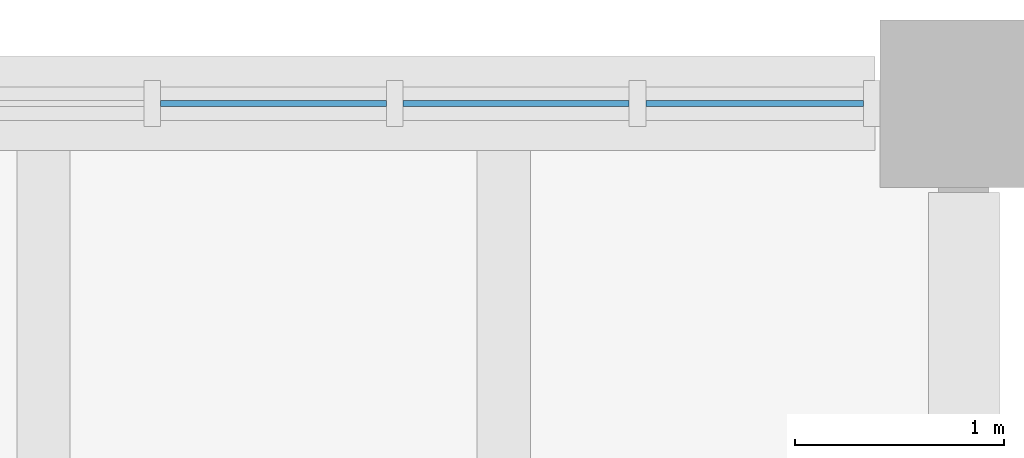
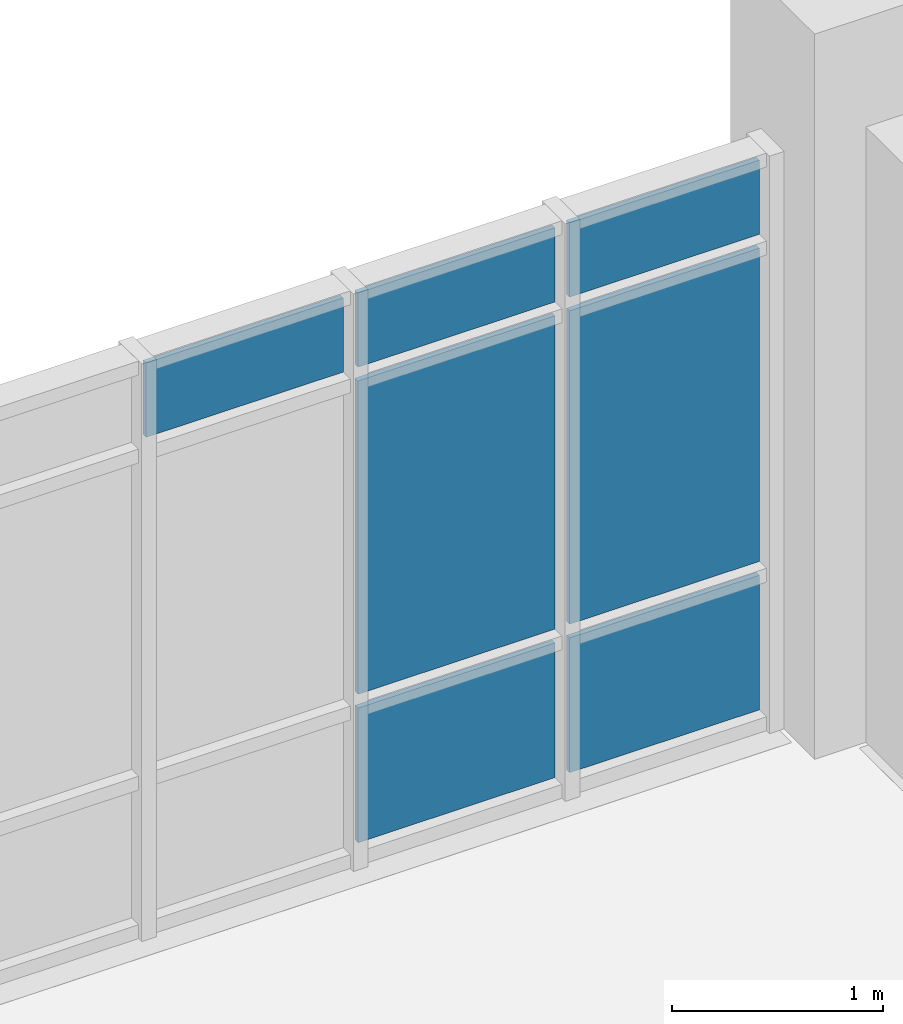
# One storey, part 45 of 67: 7 plates, 1 element without a shape of its own.
"""IFC4 building model written with IfcOpenShell, lengths in metres."""

from ifc_helpers import new_model, si_unit, direction, frame, origin, origin_2d, place, context, subcontext, project, spatial, rectangle, extrude, material, layer, layer_set, type_object, element, aggregate, save


model = new_model("IFC4")

# Units and contexts
model_context = context("Model", 3, precision=1e-05, world=origin(), true_north=direction((0.0, 1.0)))
body_context = subcontext(model_context, "Body", "Model", "MODEL_VIEW")
ifc_project = project(units=[si_unit("LENGTHUNIT", "METRE"), si_unit("AREAUNIT", "SQUARE_METRE"), si_unit("VOLUMEUNIT", "CUBIC_METRE"), si_unit("PLANEANGLEUNIT", "RADIAN"), si_unit("MASSUNIT", "GRAM", prefix="KILO")], contexts=[model_context])

# Site, building, storey
site_placement = place(None, origin())
site = spatial("IfcSite", under=ifc_project, at=site_placement, CompositionType="ELEMENT")
building_placement = place(site_placement, origin())
building = spatial("IfcBuilding", under=site, at=building_placement, Name="Ciguamira Faculty of Natural Sciences", CompositionType="ELEMENT")
storey_placement = place(building_placement, frame((0.0, 0.0, 8.39990234375)))
storey = spatial("IfcBuildingStorey", under=building, at=storey_placement, Name="L02", CompositionType="ELEMENT", Elevation=8.39990234375)

# Curtain wall, plates
ifc_material_1 = material(Name="Anodized aluminium curtain wall", Category="aluminium")
curtain_wall_type = type_object("IfcCurtainWallType", Name="CurtainWall_CW-03", PredefinedType="USERDEFINED", material=ifc_material_1)
curtain_wall_placement = place(storey_placement, origin())
curtain_wall = element("IfcCurtainWall", 1, at=curtain_wall_placement, inside=storey, type_object=curtain_wall_type, Name="L02 unitised curtain wall 0075", ObjectType="UNITISED CURTAIN WALL", PredefinedType="USERDEFINED")
ifc_material_2 = material(Name="Low-E laminated solar glass", Category="glass")
ifc_layer = layer(ifc_material_2, 0.028076171875, Name="Low-E laminated solar glass")
ifc_layer_set = layer_set([ifc_layer], Name="Low-E laminated solar glass")
plate_type = type_object("IfcPlateType", Name="CWPanel_CWP-01", PredefinedType="CURTAIN_PANEL", material=ifc_layer_set)
plate_1_placement = place(storey_placement, frame((113.39990234375, 115.0, 2.8349609375), z_axis=(0.0, 0.0, 1.0), x_axis=(1.0, 0.0, 0.0)))
plate_1 = element("IfcPlate", 2, at=plate_1_placement, type_object=plate_type, Name="CW-03 panel 3.3", PredefinedType="CURTAIN_PANEL", context=body_context, shape_type="SweptSolid", body=[
    extrude(rectangle(XDim=1.080078125, YDim=0.028076171875, at=origin_2d()), origin(), (0.0, 0.0, 1.0), 0.429931640625),
])
plate_2_placement = place(storey_placement, frame((114.56005859375, 115.0, 0.080078125), z_axis=(0.0, 0.0, 1.0), x_axis=(1.0, 0.0, 0.0)))
plate_2 = element("IfcPlate", 3, at=plate_2_placement, type_object=plate_type, Name="CW-03 panel 4.1", PredefinedType="CURTAIN_PANEL", context=body_context, shape_type="SweptSolid", body=[
    extrude(rectangle(XDim=1.080078125, YDim=0.028076171875, at=origin_2d()), origin(), (0.0, 0.0, 1.0), 0.780029296875),
])
plate_3_placement = place(storey_placement, frame((114.56005859375, 115.0, 0.940185546875), z_axis=(0.0, 0.0, 1.0), x_axis=(1.0, 0.0, 0.0)))
plate_3 = element("IfcPlate", 4, at=plate_3_placement, type_object=plate_type, Name="CW-03 panel 4.2", PredefinedType="CURTAIN_PANEL", context=body_context, shape_type="SweptSolid", body=[
    extrude(rectangle(XDim=1.080078125, YDim=0.028076171875, at=origin_2d()), origin(), (0.0, 0.0, 1.0), 1.81494140625),
])
plate_4_placement = place(storey_placement, frame((114.56005859375, 115.0, 2.8349609375), z_axis=(0.0, 0.0, 1.0), x_axis=(1.0, 0.0, 0.0)))
plate_4 = element("IfcPlate", 5, at=plate_4_placement, type_object=plate_type, Name="CW-03 panel 4.3", PredefinedType="CURTAIN_PANEL", context=body_context, shape_type="SweptSolid", body=[
    extrude(rectangle(XDim=1.080078125, YDim=0.028076171875, at=origin_2d()), origin(), (0.0, 0.0, 1.0), 0.429931640625),
])
plate_5_placement = place(storey_placement, frame((115.699951171875, 115.0, 0.080078125), z_axis=(0.0, 0.0, 1.0), x_axis=(1.0, 0.0, 0.0)))
plate_5 = element("IfcPlate", 6, at=plate_5_placement, type_object=plate_type, Name="CW-03 panel 5.1", PredefinedType="CURTAIN_PANEL", context=body_context, shape_type="SweptSolid", body=[
    extrude(rectangle(XDim=1.0400390625, YDim=0.028076171875, at=origin_2d()), origin(), (0.0, 0.0, 1.0), 0.780029296875),
])
plate_6_placement = place(storey_placement, frame((115.699951171875, 115.0, 0.940185546875), z_axis=(0.0, 0.0, 1.0), x_axis=(1.0, 0.0, 0.0)))
plate_6 = element("IfcPlate", 7, at=plate_6_placement, type_object=plate_type, Name="CW-03 panel 5.2", PredefinedType="CURTAIN_PANEL", context=body_context, shape_type="SweptSolid", body=[
    extrude(rectangle(XDim=1.0400390625, YDim=0.028076171875, at=origin_2d()), origin(), (0.0, 0.0, 1.0), 1.81494140625),
])
plate_7_placement = place(storey_placement, frame((115.699951171875, 115.0, 2.8349609375), z_axis=(0.0, 0.0, 1.0), x_axis=(1.0, 0.0, 0.0)))
plate_7 = element("IfcPlate", 8, at=plate_7_placement, type_object=plate_type, Name="CW-03 panel 5.3", PredefinedType="CURTAIN_PANEL", context=body_context, shape_type="SweptSolid", body=[
    extrude(rectangle(XDim=1.0400390625, YDim=0.028076171875, at=origin_2d()), origin(), (0.0, 0.0, 1.0), 0.429931640625),
])
aggregate(curtain_wall, [plate_1, plate_2, plate_3, plate_4, plate_5, plate_6, plate_7])

save(model, "model.ifc")
